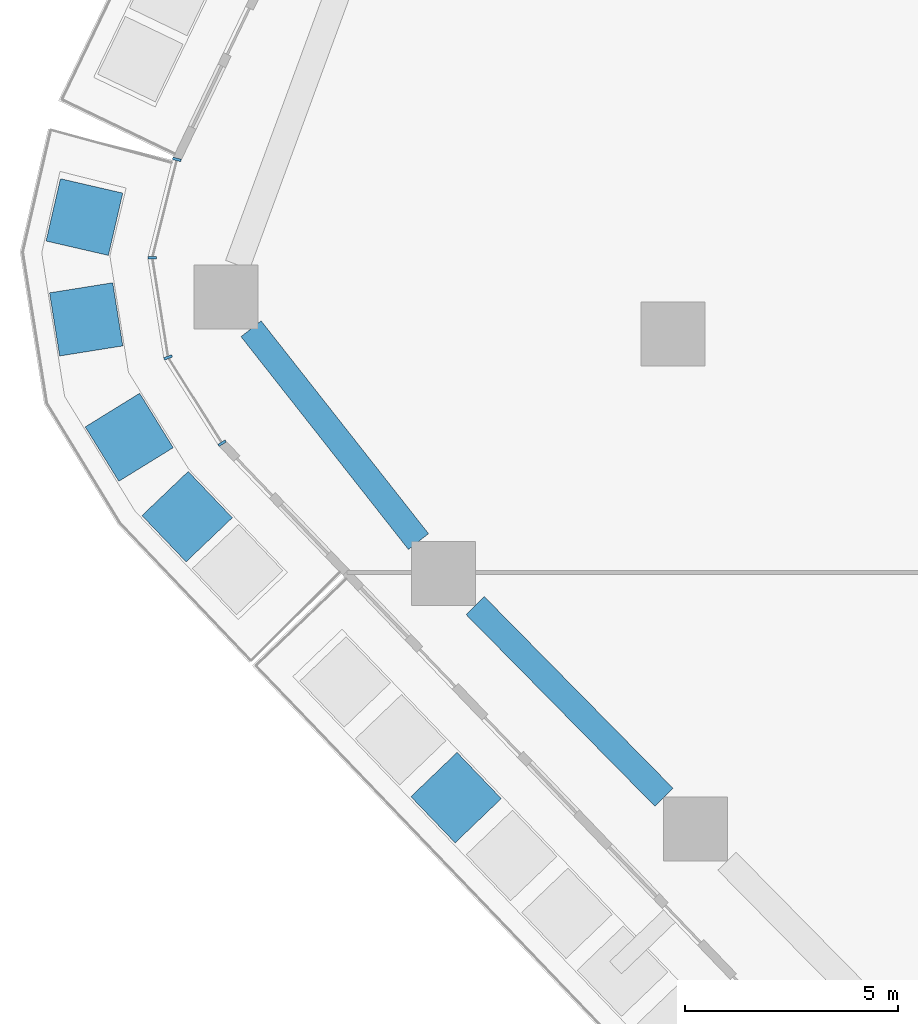
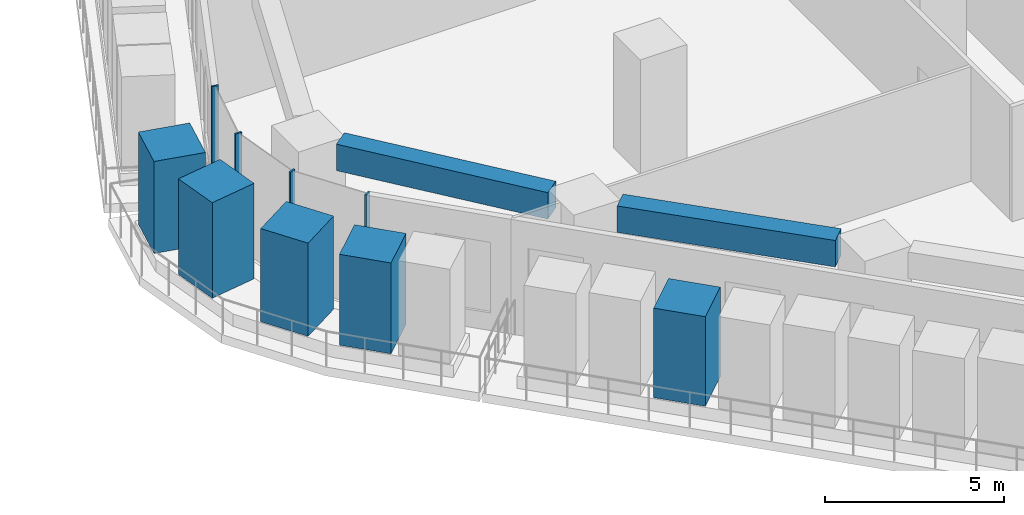
# One storey, part 3 of 23: 9 members, 2 beams, 1 element without a shape of its own.
"""IFC4 building model written with IfcOpenShell, lengths in metres."""

import ifcopenshell
import ifcopenshell.guid

model = None  # the IFC model being written
_history = None  # IfcOwnerHistory: only IFC2X3 demands one
_inside = {}  # id of a spatial element -> (the spatial element, [elements in it])
_under = {}  # id of a project, library or spatial element -> (it, [spatial elements below it])
_declared = {}  # id of a project -> (the project, [libraries it declares])
_typed = {}  # id of a type object -> (the type object, [elements of that type])
_made_of = {}  # id of a material, layer set ... -> (it, [elements and type objects made of it])


def new_model(schema):
    """Start an empty IFC model of exactly this schema.

    Asked for "IFC4X3", IfcOpenShell would pick the latest addendum, in which some entities
    have other attributes; the version numbers below select the first issue.
    IFC2X3 requires an IfcOwnerHistory on every rooted entity: one is made here for all.
    """
    global model, _history
    if schema == "IFC4X3":
        model = ifcopenshell.file(schema_version=(4, 3, 0, 0))
    else:
        model = ifcopenshell.file(schema=schema)
    _inside.clear()
    _under.clear()
    _declared.clear()
    _typed.clear()
    _made_of.clear()
    _history = None
    if model.schema == "IFC2X3":
        org = make("IfcOrganization", Name="unknown")
        user = make(
            "IfcPersonAndOrganization",
            ThePerson=make("IfcPerson", FamilyName="unknown"),
            TheOrganization=org,
        )
        app = make(
            "IfcApplication",
            ApplicationDeveloper=org,
            Version="unknown",
            ApplicationFullName="unknown",
            ApplicationIdentifier="unknown",
        )
        _history = make(
            "IfcOwnerHistory",
            OwningUser=user,
            OwningApplication=app,
            ChangeAction="ADDED",
            CreationDate=0,
        )
    return model


def make(cls, **values):
    """One entity of the class cls with the attributes given. An attribute that is None is left unset."""
    return model.create_entity(
        cls, **{name: value for name, value in values.items() if value is not None}
    )


def rooted(cls, **values):
    """An entity with a GlobalId (a new one), such as an element, a storey or a relation."""
    return make(cls, GlobalId=ifcopenshell.guid.new(), OwnerHistory=_history, **values)


def si_unit(unit_type, name, prefix=None):
    """IfcSIUnit, for example si_unit("LENGTHUNIT", "METRE", prefix="MILLI")."""
    return make("IfcSIUnit", UnitType=unit_type, Prefix=prefix, Name=name)


def assignment(units):
    """IfcUnitAssignment: the units of a project."""
    return None if units is None else make("IfcUnitAssignment", Units=units)


def point(xyz):
    """IfcCartesianPoint."""
    return None if xyz is None else make("IfcCartesianPoint", Coordinates=xyz)


def direction(xyz):
    """IfcDirection."""
    return None if xyz is None else make("IfcDirection", DirectionRatios=xyz)


def frame(location, z_axis=None, x_axis=None):
    """IfcAxis2Placement3D, a coordinate frame: its origin and axes. An axis left out is left unset."""
    return make(
        "IfcAxis2Placement3D",
        Location=point(location),
        Axis=direction(z_axis),
        RefDirection=direction(x_axis),
    )


def frame_2d(location, x_axis=None):
    """IfcAxis2Placement2D, a coordinate frame in the plane: its origin and x axis."""
    return make(
        "IfcAxis2Placement2D", Location=point(location), RefDirection=direction(x_axis)
    )


def origin():
    """The frame at (0, 0, 0) with its axes left unset."""
    return frame((0.0, 0.0, 0.0))


def origin_2d():
    """The frame at (0, 0) in the plane with its x axis left unset."""
    return frame_2d((0.0, 0.0))


def place(relative_to, where):
    """IfcLocalPlacement: puts the frame where relative to a parent placement (None: the world)."""
    return make(
        "IfcLocalPlacement", PlacementRelTo=relative_to, RelativePlacement=where
    )


def context(
    kind, dimensions, precision=None, world=None, true_north=None, identifier=None
):
    """IfcGeometricRepresentationContext, for example the 3D "Model" context."""
    return make(
        "IfcGeometricRepresentationContext",
        ContextIdentifier=identifier,
        ContextType=kind,
        CoordinateSpaceDimension=dimensions,
        Precision=precision,
        WorldCoordinateSystem=world,
        TrueNorth=true_north,
    )


def subcontext(parent, identifier, kind, view, scale=None):
    """IfcGeometricRepresentationSubContext, for example "Body" below "Model"."""
    return make(
        "IfcGeometricRepresentationSubContext",
        ContextIdentifier=identifier,
        ContextType=kind,
        ParentContext=parent,
        TargetScale=scale,
        TargetView=view,
    )


def project(units=None, contexts=None):
    """IfcProject with its units and contexts."""
    return rooted(
        "IfcProject",
        Name="project",
        RepresentationContexts=contexts,
        UnitsInContext=assignment(units),
    )


def spatial(cls, under=None, at=None, **own):
    """A site, building, storey or space (cls), placed at a placement, below another one or the project."""
    s = rooted(cls, ObjectPlacement=at, **own)
    if under is not None:
        _under.setdefault(under.id(), (under, []))[1].append(s)
    return s


def profile(cls, at=None, kind="AREA", **sizes):
    """A parametric profile (cls). Its sizes go by their IFC names, for example OverallWidth=200.0."""
    return make(cls, ProfileType=kind, Position=at, **sizes)


def rectangle(**sizes):
    """IfcRectangleProfileDef."""
    return profile("IfcRectangleProfileDef", **sizes)


def extrude(swept, where, along, depth):
    """IfcExtrudedAreaSolid: the profile swept, set in the frame where, extruded along a direction by depth."""
    return make(
        "IfcExtrudedAreaSolid",
        SweptArea=swept,
        Position=where,
        ExtrudedDirection=direction(along),
        Depth=depth,
    )


def shape(context_of_items, identifier, shape_type, items):
    """IfcShapeRepresentation: the items that make up one representation, for example the "Body"."""
    return make(
        "IfcShapeRepresentation",
        ContextOfItems=context_of_items,
        RepresentationIdentifier=identifier,
        RepresentationType=shape_type,
        Items=items,
    )


def material(Name=None, Category=None):
    """IfcMaterial."""
    return make("IfcMaterial", Name=Name, Category=Category)


def layer(
    of_material, thickness, ventilated=None, Name=None, Category=None, Priority=None
):
    """IfcMaterialLayer: one layer of a wall or slab, of a material (None: an air gap)."""
    return make(
        "IfcMaterialLayer",
        Material=of_material,
        LayerThickness=thickness,
        IsVentilated=ventilated,
        Name=Name,
        Category=Category,
        Priority=Priority,
    )


def layer_set(layers, Name=None):
    """IfcMaterialLayerSet."""
    return make("IfcMaterialLayerSet", MaterialLayers=layers, LayerSetName=Name)


def material_profile(
    of_material, cross_section, Name=None, Category=None, Priority=None
):
    """IfcMaterialProfile: a cross section and its material."""
    return make(
        "IfcMaterialProfile",
        Name=Name,
        Material=of_material,
        Profile=cross_section,
        Priority=Priority,
        Category=Category,
    )


def profile_set(profiles, Name=None, composite=None):
    """IfcMaterialProfileSet."""
    return make(
        "IfcMaterialProfileSet",
        Name=Name,
        MaterialProfiles=profiles,
        CompositeProfile=composite,
    )


def made_of(thing, what):
    """Note that an element or type object is made of a material, layer set ...; save() writes the relation."""
    if what is not None:
        _made_of.setdefault(what.id(), (what, []))[1].append(thing)
    return thing


def type_object(cls, material=None, **own):
    """A type object (cls), such as IfcWallType, which elements share."""
    return made_of(rooted(cls, **own), material)


def element(
    cls,
    number,
    at=None,
    inside=None,
    cuts=None,
    type_object=None,
    material=None,
    context=None,
    identifier="Body",
    shape_type=None,
    held_by="IfcProductDefinitionShape",
    body=None,
    shapes=None,
    **own,
):
    """One element of the class cls, such as IfcWall. Its Tag is "e" and its number.

    at: its placement. inside: the storey or other place that contains it. cuts: it is an
    opening in that element (IfcRelVoidsElement). A single representation is given by context,
    identifier, shape_type and body (its items); several are given by shapes. held_by: the class
    of the entity that holds the representations. save() writes the other relations.
    """
    e = rooted(cls, Tag="e%d" % number, ObjectPlacement=at, **own)
    if body is not None:
        shapes = [shape(context, identifier, shape_type, body)]
    if shapes is not None:
        e.Representation = make(held_by, Representations=shapes)
    if inside is not None:
        _inside.setdefault(inside.id(), (inside, []))[1].append(e)
    if cuts is not None:
        rooted(
            "IfcRelVoidsElement", RelatingBuildingElement=cuts, RelatedOpeningElement=e
        )
    if type_object is not None:
        _typed.setdefault(type_object.id(), (type_object, []))[1].append(e)
    return made_of(e, material)


def aggregate(whole, parts):
    """IfcRelAggregates: a whole, such as a stair, and the parts it consists of."""
    return rooted("IfcRelAggregates", RelatingObject=whole, RelatedObjects=parts)


def save(model, path):
    """Write the relations noted so far, then the file.

    IfcRelAggregates (storeys below a building ...), IfcRelContainedInSpatialStructure (elements
    in a storey), IfcRelDefinesByType, IfcRelAssociatesMaterial and IfcRelDeclares: one each for
    every whole, place, type object, material and project.
    """
    for whole, parts in _under.values():
        aggregate(whole, parts)
    for where, things in _inside.values():
        rooted(
            "IfcRelContainedInSpatialStructure",
            RelatedElements=things,
            RelatingStructure=where,
        )
    for kind, things in _typed.values():
        rooted("IfcRelDefinesByType", RelatedObjects=things, RelatingType=kind)
    for what, things in _made_of.values():
        rooted("IfcRelAssociatesMaterial", RelatedObjects=things, RelatingMaterial=what)
    for by, libraries in _declared.values():
        rooted("IfcRelDeclares", RelatingContext=by, RelatedDefinitions=libraries)
    model.write(path)


model = new_model("IFC4")

# Units and contexts
model_context = context("Model", 3, precision=1e-05, world=origin(), true_north=direction((0.0, 1.0)))
body_context = subcontext(model_context, "Body", "Model", "MODEL_VIEW")
ifc_project = project(units=[si_unit("LENGTHUNIT", "METRE"), si_unit("AREAUNIT", "SQUARE_METRE"), si_unit("VOLUMEUNIT", "CUBIC_METRE"), si_unit("PLANEANGLEUNIT", "RADIAN"), si_unit("MASSUNIT", "GRAM", prefix="KILO")], contexts=[model_context])

# Site, building, storey
site_placement = place(None, origin())
site = spatial("IfcSite", under=ifc_project, at=site_placement, CompositionType="ELEMENT")
building_placement = place(site_placement, origin())
building = spatial("IfcBuilding", under=site, at=building_placement, Name="Dongbaek Canopy Tower", CompositionType="ELEMENT")
storey_placement = place(building_placement, frame((0.0, 0.0, 84.699951171875)))
storey = spatial("IfcBuildingStorey", under=building, at=storey_placement, Name="L17", CompositionType="ELEMENT", Elevation=84.699951171875)

# Curtain wall, members
ifc_material_1 = material(Name="Aluminium 6063-T6 pale anodised", Category="aluminium")
ifc_layer = layer(ifc_material_1, 0.199951171875)
ifc_layer_set = layer_set([ifc_layer], Name="CW-1 unitised tower curtain wall")
curtain_wall_type = type_object("IfcCurtainWallType", Name="CW-1 unitised tower curtain wall", PredefinedType="NOTDEFINED", material=ifc_layer_set)
curtain_wall_placement = place(storey_placement, origin())
curtain_wall = element("IfcCurtainWall", 1, at=curtain_wall_placement, inside=storey, type_object=curtain_wall_type, Name="CW-1 curtain wall K3.1", PredefinedType="NOTDEFINED")
ifc_material_2 = material(Name="Aluminium 6063-T6 pale anodised", Category="aluminium")
ifc_material_profile_1 = material_profile(ifc_material_2, rectangle(XDim=0.199951171875, YDim=0.06005859375, at=origin_2d()), Name="CW-1 mullion 60 x 200")
ifc_profile_set_1 = profile_set([ifc_material_profile_1], Name="Aluminium 6063-T6 pale anodised")
member_type_1 = type_object("IfcMemberType", Name="CW-1 mullion 60 x 200", PredefinedType="MULLION", material=ifc_profile_set_1)
member_1_placement = place(storey_placement, frame((-38.638916015625, -4.901611328125, 0.0), z_axis=(0.0, 0.0, 1.0), x_axis=(-0.969923501521, 0.243409944739, 0.0)))
member_1 = element("IfcMember", 2, at=member_1_placement, type_object=member_type_1, Name="CW-1 mullion K3.1.1", PredefinedType="MULLION", context=body_context, shape_type="SweptSolid", body=[
    extrude(rectangle(XDim=0.199951171875, YDim=0.06005859375, at=origin_2d()), origin(), (0.0, 0.0, 1.0), 3.900146484375),
])
member_2_placement = place(storey_placement, frame((-39.217529296875, -7.20751953125, 0.0), z_axis=(0.0, 0.0, 1.0), x_axis=(-0.999038450724, 0.04384260456, 0.0)))
member_2 = element("IfcMember", 3, at=member_2_placement, type_object=member_type_1, Name="CW-1 mullion K3.1.2", PredefinedType="MULLION", context=body_context, shape_type="SweptSolid", body=[
    extrude(rectangle(XDim=0.199951171875, YDim=0.06005859375, at=origin_2d()), origin(), (0.0, 0.0, 1.0), 3.900146484375),
])
member_3_placement = place(storey_placement, frame((-38.8447265625, -9.544677734375, 0.0), z_axis=(0.0, 0.0, 1.0), x_axis=(-0.935829874981, -0.352452046515, 0.0)))
member_3 = element("IfcMember", 4, at=member_3_placement, type_object=member_type_1, Name="CW-1 mullion K3.1.3", PredefinedType="MULLION", context=body_context, shape_type="SweptSolid", body=[
    extrude(rectangle(XDim=0.199951171875, YDim=0.06005859375, at=origin_2d()), origin(), (0.0, 0.0, 1.0), 3.900146484375),
])
member_4_placement = place(storey_placement, frame((-37.57763671875, -11.55615234375, 0.0), z_axis=(0.0, 0.0, 1.0), x_axis=(-0.84607734644, -0.533060150302, 0.0)))
member_4 = element("IfcMember", 5, at=member_4_placement, type_object=member_type_1, Name="CW-1 mullion K3.1.4", PredefinedType="MULLION", context=body_context, shape_type="SweptSolid", body=[
    extrude(rectangle(XDim=0.199951171875, YDim=0.06005859375, at=origin_2d()), origin(), (0.0, 0.0, 1.0), 3.900146484375),
])
aggregate(curtain_wall, [member_1, member_2, member_3, member_4])

# Beams
ifc_material_3 = material(Name="Concrete C80", Category="concrete")
ifc_material_profile_2 = material_profile(ifc_material_3, rectangle(XDim=0.60009765625, YDim=0.89990234375, at=origin_2d()), Name="RC EDGE BEAM 600x900 C80")
ifc_profile_set_2 = profile_set([ifc_material_profile_2], Name="Concrete C80")
beam_type = type_object("IfcBeamType", Name="RC EDGE BEAM 600x900 C80", PredefinedType="BEAM", material=ifc_profile_set_2)
beam_1_placement = place(storey_placement, frame((-27.216552734375, -19.85791015625, 3.449951171875), z_axis=(-0.701687682569, 0.712484663787, 0.0), x_axis=(-0.712484663787, -0.701687682569, 0.0)))
element("IfcBeam", 6, at=beam_1_placement, inside=storey, type_object=beam_type, Name="EDGEBEAM:L17:06", PredefinedType="BEAM", context=body_context, shape_type="SweptSolid", body=[
    extrude(rectangle(XDim=0.60009765625, YDim=0.89990234375, at=origin_2d()), origin(), (0.0, 0.0, 1.0), 6.308837890625),
])
beam_2_placement = place(storey_placement, frame((-32.97216796875, -13.863037109375, 3.449951171875), z_axis=(-0.618386857787, 0.785873841094, 0.0), x_axis=(-0.785873841094, -0.618386857787, 0.0)))
element("IfcBeam", 7, at=beam_2_placement, inside=storey, type_object=beam_type, Name="EDGEBEAM:L17:07", PredefinedType="BEAM", context=body_context, shape_type="SweptSolid", body=[
    extrude(rectangle(XDim=0.60009765625, YDim=0.89990234375, at=origin_2d()), origin(), (0.0, 0.0, 1.0), 6.349609375),
])

# Members
ifc_material_4 = material(Name="Concrete C40/50 planter mass with planting", Category="concrete")
ifc_material_profile_3 = material_profile(ifc_material_4, rectangle(XDim=1.5, YDim=1.5, at=origin_2d()), Name="Terrace PLANTER shrub mass 1500 x 1500")
ifc_profile_set_3 = profile_set([ifc_material_profile_3], Name="Concrete C40/50 planter mass with planting")
member_type_2 = type_object("IfcMemberType", Name="Terrace PLANTER shrub mass 1500 x 1500", PredefinedType="USERDEFINED", material=ifc_profile_set_3)
member_5_placement = place(storey_placement, frame((-32.09033203125, -19.867431640625, 0.420166015625), z_axis=(0.0, 0.0, 1.0), x_axis=(-0.721910788047, -0.691986137217, 0.0)))
element("IfcMember", 8, at=member_5_placement, inside=storey, type_object=member_type_2, Name="Planter shrubs L17 3.3", ObjectType="PLANTER", PredefinedType="USERDEFINED", context=body_context, shape_type="SweptSolid", body=[
    extrude(rectangle(XDim=1.5, YDim=1.5, at=origin_2d()), origin(), (0.0, 0.0, 1.0), 3.0498046875),
])
member_6_placement = place(storey_placement, frame((-40.805908203125, -6.253173828125, 0.420166015625), z_axis=(0.0, 0.0, 1.0), x_axis=(-0.974401034922, 0.224816865788, 0.0)))
element("IfcMember", 9, at=member_6_placement, inside=storey, type_object=member_type_2, Name="Planter shrubs L17 6.1", ObjectType="PLANTER", PredefinedType="USERDEFINED", context=body_context, shape_type="SweptSolid", body=[
    extrude(rectangle(XDim=1.5, YDim=1.5, at=origin_2d()), origin(), (0.0, 0.0, 1.0), 3.1298828125),
])
member_7_placement = place(storey_placement, frame((-40.764892578125, -8.652587890625, 0.420166015625), z_axis=(0.0, 0.0, 1.0), x_axis=(-0.98751770722, -0.157508024963, 0.0)))
element("IfcMember", 10, at=member_7_placement, inside=storey, type_object=member_type_2, Name="Planter shrubs L17 6.2", ObjectType="PLANTER", PredefinedType="USERDEFINED", context=body_context, shape_type="SweptSolid", body=[
    extrude(rectangle(XDim=1.5, YDim=1.5, at=origin_2d()), origin(), (0.0, 0.0, 1.0), 3.25),
])
member_8_placement = place(storey_placement, frame((-39.755126953125, -11.41748046875, 0.420166015625), z_axis=(0.0, 0.0, 1.0), x_axis=(-0.850750300602, -0.525570096205, 0.0)))
element("IfcMember", 11, at=member_8_placement, inside=storey, type_object=member_type_2, Name="Planter shrubs L17 6.3", ObjectType="PLANTER", PredefinedType="USERDEFINED", context=body_context, shape_type="SweptSolid", body=[
    extrude(rectangle(XDim=1.5, YDim=1.5, at=origin_2d()), origin(), (0.0, 0.0, 1.0), 3.169921875),
])
member_9_placement = place(storey_placement, frame((-38.396728515625, -13.27880859375, 0.420166015625), z_axis=(0.0, 0.0, 1.0), x_axis=(-0.723646813997, -0.69017047792, 0.0)))
element("IfcMember", 12, at=member_9_placement, inside=storey, type_object=member_type_2, Name="Planter shrubs L17 6.4", ObjectType="PLANTER", PredefinedType="USERDEFINED", context=body_context, shape_type="SweptSolid", body=[
    extrude(rectangle(XDim=1.5, YDim=1.5, at=origin_2d()), origin(), (0.0, 0.0, 1.0), 3.08984375),
])

save(model, "model.ifc")
